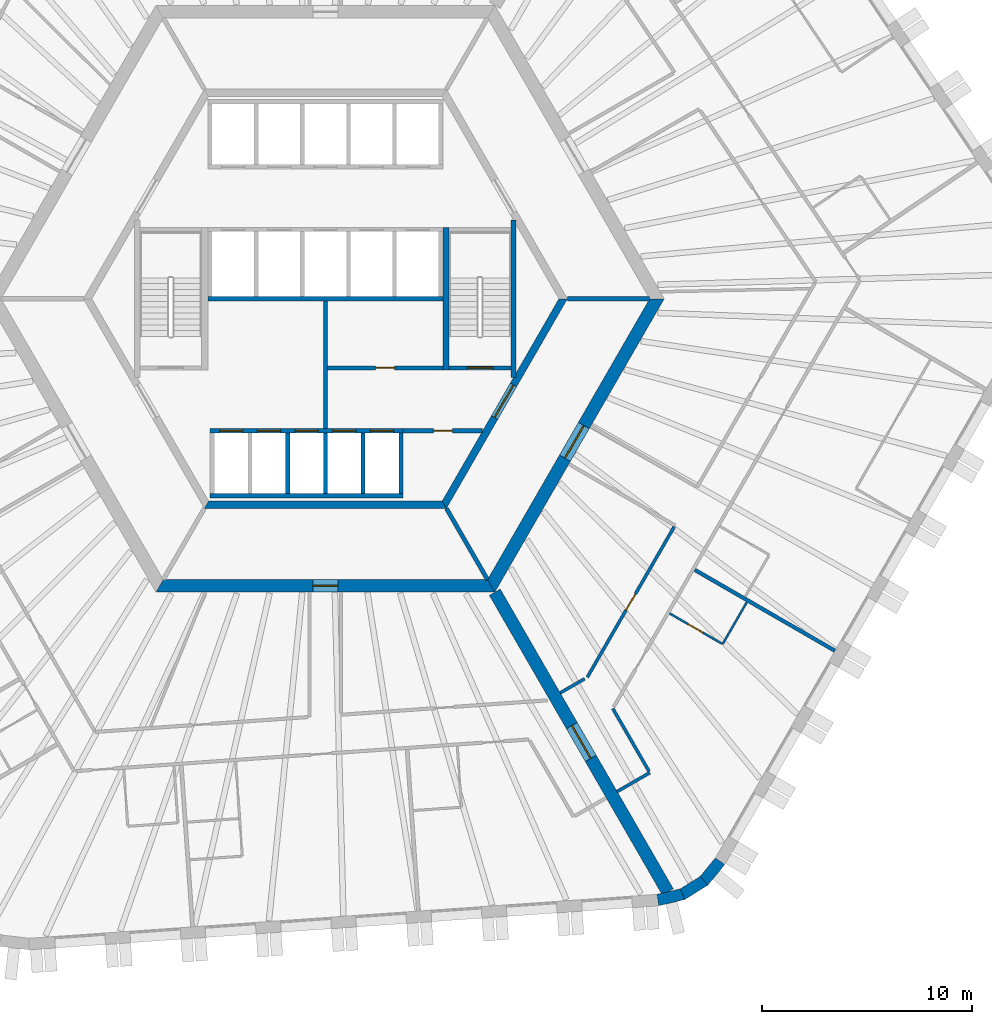
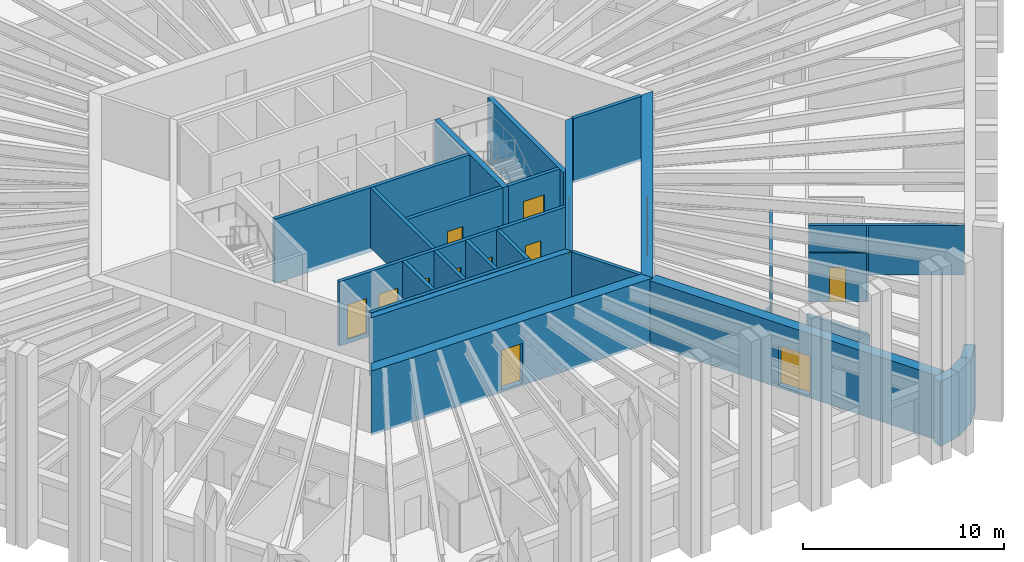
# One storey, part 5 of 13: 30 walls, 14 doors, 14 openings.
"""IFC4 building model written with IfcOpenShell, lengths in metres."""

from ifc_helpers import new_model, si_unit, direction, frame, frame_2d, origin, place, context, subcontext, project, spatial, polyline, rectangle, outline, extrude, material, layer, layer_set, type_object, element, fill, save


model = new_model("IFC4")

# Units and contexts
model_context = context("Model", 3, precision=1e-05, world=origin(), true_north=direction((0.0, 1.0)))
body_context = subcontext(model_context, "Body", "Model", "MODEL_VIEW")
ifc_project = project(units=[si_unit("LENGTHUNIT", "METRE"), si_unit("AREAUNIT", "SQUARE_METRE"), si_unit("VOLUMEUNIT", "CUBIC_METRE"), si_unit("PLANEANGLEUNIT", "RADIAN"), si_unit("MASSUNIT", "GRAM", prefix="KILO")], contexts=[model_context])

# Site, building, storey
site_placement = place(None, origin())
site = spatial("IfcSite", under=ifc_project, at=site_placement, CompositionType="ELEMENT")
building_placement = place(site_placement, origin())
building = spatial("IfcBuilding", under=site, at=building_placement, Name="Tarnside Tower", CompositionType="ELEMENT")
storey_placement = place(building_placement, frame((0.0, 0.0, 80.39990234375)))
storey = spatial("IfcBuildingStorey", under=building, at=storey_placement, Name="L17", CompositionType="ELEMENT", Elevation=80.39990234375)

# Wall
ifc_material_1 = material(Name="Gypsum board partition on steel studs", Category="steel")
ifc_layer_1 = layer(ifc_material_1, 0.10009765625)
ifc_layer_set_1 = layer_set([ifc_layer_1], Name="Bathroom wall 100")
wall_type_1 = type_object("IfcWallType", Name="Bathroom wall 100", PredefinedType="PARTITIONING", material=ifc_layer_set_1)
wall_1_placement = place(storey_placement, frame((20.108154296875, -14.471923828125, 0.0), z_axis=(0.0, 0.0, 1.0), x_axis=(-0.500015210774, -0.866016621662, 0.0)))
element("IfcWall", 1, at=wall_1_placement, inside=storey, type_object=wall_type_1, Name="Bathroom wall 05137", PredefinedType="PARTITIONING", context=body_context, shape_type="SweptSolid", body=[
    extrude(rectangle(XDim=2.31005859375, YDim=0.10009765625, at=frame_2d((1.155029296875, 0.0))), origin(), (0.0, 0.0, 1.0), 2.98779296875),
])

# Wall, opening, door
wall_2_placement = place(storey_placement, frame((18.90966796875, -16.447265625, 0.0), z_axis=(0.0, 0.0, 1.0), x_axis=(-0.866018712932, 0.500011588718, 0.0)))
wall_2 = element("IfcWall", 2, at=wall_2_placement, inside=storey, type_object=wall_type_1, Name="Bathroom wall 05138", PredefinedType="PARTITIONING", context=body_context, shape_type="SweptSolid", body=[
    extrude(rectangle(XDim=2.875, YDim=0.10009765625, at=frame_2d((1.4375, 0.0))), origin(), (0.0, 0.0, 1.0), 2.98779296875),
])
opening_1_placement = place(wall_2_placement, frame((1.050048828125, 0.0, 0.0)))
opening_1 = element("IfcOpeningElement", 3, at=opening_1_placement, cuts=wall_2, Name="Opening D-B1", PredefinedType="OPENING", context=body_context, shape_type="SweptSolid", body=[
    extrude(rectangle(XDim=0.800048828125, YDim=2.10009765625, at=frame_2d((0.39990234375, 1.050048828125))), frame((0.0, 0.06005859375, 0.0), z_axis=(0.0, -1.0, 0.0), x_axis=(1.0, 0.0, 0.0)), (0.0, 0.0, 1.0), 0.1201171875),
])
ifc_material_2 = material(Name="Timber door leaf", Category="wood")
door_type_1 = type_object("IfcDoorType", Name="Bathroom door 800", OperationType="NOTDEFINED", PredefinedType="DOOR", material=ifc_material_2)
door_1_placement = place(opening_1_placement, origin())
door_1 = element("IfcDoor", 4, at=door_1_placement, inside=storey, type_object=door_type_1, Name="Bathroom door 05031", OperationType="SINGLE_SWING_LEFT", OverallHeight=2.10009765625, OverallWidth=0.800048828125, PredefinedType="DOOR", context=body_context, shape_type="SweptSolid", body=[
    extrude(rectangle(XDim=0.800048828125, YDim=2.10009765625, at=frame_2d((0.39990234375, 1.050048828125))), frame((0.0, 0.02490234375, 0.0), z_axis=(0.0, -1.0, 0.0), x_axis=(1.0, 0.0, 0.0)), (0.0, 0.0, 1.0), 0.050048828125),
])
fill(opening_1, door_1)

# Wall
ifc_material_3 = material(Name="Concrete C50/60", Category="concrete")
ifc_layer_2 = layer(ifc_material_3, 0.35009765625)
ifc_layer_set_2 = layer_set([ifc_layer_2], Name="Core block wall 350 C50/60")
wall_type_2 = type_object("IfcWallType", Name="Core block wall 350 C50/60", PredefinedType="SHEAR", material=ifc_layer_set_2)
wall_3_placement = place(storey_placement, frame((-5.672607421875, -9.824951171875, -0.14990234375), z_axis=(0.0, 0.0, 1.0), x_axis=(1.0, 0.0, 0.0)))
element("IfcWall", 5, at=wall_3_placement, inside=storey, type_object=wall_type_2, Name="L17 core block wall face 4", PredefinedType="SHEAR", context=body_context, shape_type="SweptSolid", body=[
    extrude(outline(polyline([(-0.10107421875, -0.175048828125), (11.4462890625, -0.175048828125), (11.244140625, 0.175048828125), (0.10107421875, 0.175048828125), (-0.10107421875, -0.175048828125)])), origin(), (0.0, 0.0, 1.0), 3.89990234375),
])

# Wall, opening, door
wall_4_placement = place(storey_placement, frame((5.672607421875, -9.824951171875, -0.14990234375), z_axis=(0.0, 0.0, 1.0), x_axis=(0.499995046907, 0.866028263435, 0.0)))
wall_4 = element("IfcWall", 6, at=wall_4_placement, inside=storey, type_object=wall_type_2, Name="L17 core block wall face 5", PredefinedType="SHEAR", context=body_context, shape_type="SweptSolid", body=[
    extrude(outline(polyline([(-0.10107421875, -0.175048828125), (11.44580078125, -0.175048828125), (11.24365234375, 0.175048828125), (0.10107421875, 0.175048828125), (-0.10107421875, -0.175048828125)])), origin(), (0.0, 0.0, 1.0), 3.89990234375),
])
opening_2_placement = place(wall_4_placement, frame((4.80126953125, 0.0, 0.14990234375)))
opening_2 = element("IfcOpeningElement", 7, at=opening_2_placement, cuts=wall_4, Name="Opening CD-FFL", PredefinedType="OPENING", context=body_context, shape_type="SweptSolid", body=[
    extrude(rectangle(XDim=1.800048828125, YDim=2.39990234375, at=frame_2d((0.89990234375, 1.199951171875))), frame((0.0, 0.18505859375, 0.0), z_axis=(0.0, -1.0, 0.0), x_axis=(1.0, 0.0, 0.0)), (0.0, 0.0, 1.0), 0.3701171875),
])
ifc_material_4 = material(Name="Steel fire door", Category="steel")
door_type_2 = type_object("IfcDoorType", Name="Firefighting lobby double door FD60S 1800x2400", OperationType="NOTDEFINED", PredefinedType="DOOR", material=ifc_material_4)
door_2_placement = place(opening_2_placement, origin())
door_2 = element("IfcDoor", 8, at=door_2_placement, inside=storey, type_object=door_type_2, Name="L17 lobby block door P4", OperationType="DOUBLE_DOOR_SINGLE_SWING", OverallHeight=2.39990234375, OverallWidth=1.800048828125, PredefinedType="DOOR", context=body_context, shape_type="SweptSolid", body=[
    extrude(rectangle(XDim=1.800048828125, YDim=2.39990234375, at=frame_2d((0.89990234375, 1.199951171875))), frame((0.0, 0.02490234375, 0.0), z_axis=(0.0, -1.0, 0.0), x_axis=(1.0, 0.0, 0.0)), (0.0, 0.0, 1.0), 0.050048828125),
])
fill(opening_2, door_2)

ifc_material_5 = material(Name="Concrete C40/50", Category="concrete")
ifc_layer_3 = layer(ifc_material_5, 0.199951171875)
ifc_layer_set_3 = layer_set([ifc_layer_3], Name="Core room partition 200 C40/50")
wall_type_3 = type_object("IfcWallType", Name="Core room partition 200 C40/50", PredefinedType="PARTITIONING", material=ifc_layer_set_3)
wall_5_placement = place(storey_placement, frame((0.10009765625, -3.300048828125, 0.0), z_axis=(0.0, 0.0, 1.0), x_axis=(1.0, 0.0, 0.0)))
wall_5 = element("IfcWall", 9, at=wall_5_placement, inside=storey, type_object=wall_type_3, Name="L17 core partition R3S1", PredefinedType="PARTITIONING", context=body_context, shape_type="SweptSolid", body=[
    extrude(rectangle(XDim=5.5, YDim=0.199951171875, at=frame_2d((2.75, 0.0))), origin(), (0.0, 0.0, 1.0), 3.650146484375),
])
opening_3_placement = place(wall_5_placement, frame((2.300048828125, 0.0, 0.0)))
opening_3 = element("IfcOpeningElement", 10, at=opening_3_placement, cuts=wall_5, Name="Opening CD-room", PredefinedType="OPENING", context=body_context, shape_type="SweptSolid", body=[
    extrude(rectangle(XDim=0.89990234375, YDim=2.10009765625, at=frame_2d((0.449951171875, 1.050048828125))), frame((0.0, 0.10986328125, 0.0), z_axis=(0.0, -1.0, 0.0), x_axis=(1.0, 0.0, 0.0)), (0.0, 0.0, 1.0), 0.219970703125),
])
door_type_3 = type_object("IfcDoorType", Name="Room door FD60 900x2100", OperationType="NOTDEFINED", PredefinedType="DOOR", material=ifc_material_4)
door_3_placement = place(opening_3_placement, origin())
door_3 = element("IfcDoor", 11, at=door_3_placement, inside=storey, type_object=door_type_3, Name="L17 core room door SR1", OperationType="SINGLE_SWING_LEFT", OverallHeight=2.10009765625, OverallWidth=0.89990234375, PredefinedType="DOOR", context=body_context, shape_type="SweptSolid", body=[
    extrude(rectangle(XDim=0.89990234375, YDim=2.10009765625, at=frame_2d((0.449951171875, 1.050048828125))), frame((0.0, 0.02490234375, 0.0), z_axis=(0.0, -1.0, 0.0), x_axis=(1.0, 0.0, 0.0)), (0.0, 0.0, 1.0), 0.050048828125),
])
fill(opening_3, door_3)

# Wall
wall_6_placement = place(storey_placement, frame((0.0, -6.199951171875, 0.0), z_axis=(0.0, 0.0, 1.0), x_axis=(0.0, 1.0, 0.0)))
element("IfcWall", 12, at=wall_6_placement, inside=storey, type_object=wall_type_3, Name="L17 core partition X0", PredefinedType="PARTITIONING", context=body_context, shape_type="SweptSolid", body=[
    extrude(rectangle(XDim=6.099853515625, YDim=0.199951171875, at=frame_2d((3.0498046875, 0.0))), origin(), (0.0, 0.0, 1.0), 3.650146484375),
])

# Wall, opening, door
wall_7_placement = place(storey_placement, frame((3.699951171875, -6.300048828125, 0.0), z_axis=(0.0, 0.0, 1.0), x_axis=(1.0, 0.0, 0.0)))
wall_7 = element("IfcWall", 13, at=wall_7_placement, inside=storey, type_object=wall_type_3, Name="L17 core partition R4X", PredefinedType="PARTITIONING", context=body_context, shape_type="SweptSolid", body=[
    extrude(rectangle(XDim=3.8056640625, YDim=0.199951171875, at=frame_2d((1.90283203125, 0.0))), origin(), (0.0, 0.0, 1.0), 3.650146484375),
])
opening_4_placement = place(wall_7_placement, frame((1.452880859375, 0.0, 0.0)))
opening_4 = element("IfcOpeningElement", 14, at=opening_4_placement, cuts=wall_7, Name="Opening CD-room", PredefinedType="OPENING", context=body_context, shape_type="SweptSolid", body=[
    extrude(rectangle(XDim=0.89990234375, YDim=2.10009765625, at=frame_2d((0.449951171875, 1.050048828125))), frame((0.0, 0.10986328125, 0.0), z_axis=(0.0, -1.0, 0.0), x_axis=(1.0, 0.0, 0.0)), (0.0, 0.0, 1.0), 0.219970703125),
])
door_4_placement = place(opening_4_placement, origin())
door_4 = element("IfcDoor", 15, at=door_4_placement, inside=storey, type_object=door_type_3, Name="L17 core room door RX", OperationType="SINGLE_SWING_LEFT", OverallHeight=2.10009765625, OverallWidth=0.89990234375, PredefinedType="DOOR", context=body_context, shape_type="SweptSolid", body=[
    extrude(rectangle(XDim=0.89990234375, YDim=2.10009765625, at=frame_2d((0.449951171875, 1.050048828125))), frame((0.0, 0.02490234375, 0.0), z_axis=(0.0, -1.0, 0.0), x_axis=(1.0, 0.0, 0.0)), (0.0, 0.0, 1.0), 0.050048828125),
])
fill(opening_4, door_4)

ifc_material_6 = material(Name="Concrete C80/95", Category="concrete")
ifc_layer_4 = layer(ifc_material_6, 0.60009765625)
ifc_layer_set_4 = layer_set([ifc_layer_4], Name="Core wall Z1 600 C80/95")
wall_type_4 = type_object("IfcWallType", Name="Core wall Z1 600 C80/95", PredefinedType="SHEAR", material=ifc_layer_set_4)
wall_8_placement = place(storey_placement, frame((-7.90966796875, -13.699951171875, -0.14990234375), z_axis=(0.0, 0.0, 1.0), x_axis=(1.0, 0.0, 0.0)))
wall_8 = element("IfcWall", 16, at=wall_8_placement, inside=storey, type_object=wall_type_4, Name="L17 core wall face 4", PredefinedType="SHEAR", context=body_context, shape_type="SweptSolid", body=[
    extrude(outline(polyline([(-0.17333984375, -0.300048828125), (15.99267578125, -0.300048828125), (15.64599609375, 0.300048828125), (0.17333984375, 0.300048828125), (-0.17333984375, -0.300048828125)])), origin(), (0.0, 0.0, 1.0), 3.89990234375),
])
opening_5_placement = place(wall_8_placement, frame((7.309814453125, 0.0, 0.14990234375)))
opening_5 = element("IfcOpeningElement", 17, at=opening_5_placement, cuts=wall_8, Name="Opening CD-RSR", PredefinedType="OPENING", context=body_context, shape_type="SweptSolid", body=[
    extrude(rectangle(XDim=1.199951171875, YDim=2.39990234375, at=frame_2d((0.60009765625, 1.199951171875))), frame((0.0, 0.31005859375, 0.0), z_axis=(0.0, -1.0, 0.0), x_axis=(1.0, 0.0, 0.0)), (0.0, 0.0, 1.0), 0.6201171875),
])
door_type_4 = type_object("IfcDoorType", Name="Riser door FD60 1200x2400", OperationType="NOTDEFINED", PredefinedType="DOOR", material=ifc_material_4)
door_5_placement = place(opening_5_placement, origin())
door_5 = element("IfcDoor", 18, at=door_5_placement, inside=storey, type_object=door_type_4, Name="L17 core door S6", OperationType="SINGLE_SWING_LEFT", OverallHeight=2.39990234375, OverallWidth=1.199951171875, PredefinedType="DOOR", context=body_context, shape_type="SweptSolid", body=[
    extrude(rectangle(XDim=1.199951171875, YDim=2.39990234375, at=frame_2d((0.60009765625, 1.199951171875))), frame((0.0, 0.02490234375, 0.0), z_axis=(0.0, -1.0, 0.0), x_axis=(1.0, 0.0, 0.0)), (0.0, 0.0, 1.0), 0.050048828125),
])
fill(opening_5, door_5)

wall_9_placement = place(storey_placement, frame((7.90966796875, -13.699951171875, -0.14990234375), z_axis=(0.0, 0.0, 1.0), x_axis=(0.499999880136, 0.866025472988, 0.0)))
wall_9 = element("IfcWall", 19, at=wall_9_placement, inside=storey, type_object=wall_type_4, Name="L17 core wall face 5", PredefinedType="SHEAR", context=body_context, shape_type="SweptSolid", body=[
    extrude(outline(polyline([(-0.17333984375, -0.300048828125), (15.99267578125, -0.300048828125), (15.64599609375, 0.300048828125), (0.17333984375, 0.300048828125), (-0.17333984375, -0.300048828125)])), origin(), (0.0, 0.0, 1.0), 3.89990234375),
])
opening_6_placement = place(wall_9_placement, frame((7.03857421875, 0.0, 0.14990234375)))
opening_6 = element("IfcOpeningElement", 20, at=opening_6_placement, cuts=wall_9, Name="Opening CD-FFL", PredefinedType="OPENING", context=body_context, shape_type="SweptSolid", body=[
    extrude(rectangle(XDim=1.800048828125, YDim=2.39990234375, at=frame_2d((0.89990234375, 1.199951171875))), frame((0.0, 0.31005859375, 0.0), z_axis=(0.0, -1.0, 0.0), x_axis=(1.0, 0.0, 0.0)), (0.0, 0.0, 1.0), 0.6201171875),
])
door_6_placement = place(opening_6_placement, origin())
door_6 = element("IfcDoor", 21, at=door_6_placement, inside=storey, type_object=door_type_2, Name="L17 core door P4", OperationType="DOUBLE_DOOR_SINGLE_SWING", OverallHeight=2.39990234375, OverallWidth=1.800048828125, PredefinedType="DOOR", context=body_context, shape_type="SweptSolid", body=[
    extrude(rectangle(XDim=1.800048828125, YDim=2.39990234375, at=frame_2d((0.89990234375, 1.199951171875))), frame((0.0, 0.02490234375, 0.0), z_axis=(0.0, -1.0, 0.0), x_axis=(1.0, 0.0, 0.0)), (0.0, 0.0, 1.0), 0.050048828125),
])
fill(opening_6, door_6)

wall_10_placement = place(storey_placement, frame((8.0830078125, -14.0, -0.14990234375), z_axis=(0.0, 0.0, 1.0), x_axis=(0.499997680643, -0.866026742862, 0.0)))
wall_10 = element("IfcWall", 22, at=wall_10_placement, inside=storey, type_object=wall_type_4, Name="L17 spine wall 3", PredefinedType="SHEAR", context=body_context, shape_type="SweptSolid", body=[
    extrude(rectangle(XDim=16.5087890625, YDim=0.60009765625, at=frame_2d((8.25439453125, 0.0))), origin(), (0.0, 0.0, 1.0), 3.89990234375),
])
opening_7_placement = place(wall_10_placement, frame((7.3544921875, 0.0, 0.14990234375)))
opening_7 = element("IfcOpeningElement", 23, at=opening_7_placement, cuts=wall_10, Name="Opening CD-SPN", PredefinedType="OPENING", context=body_context, shape_type="SweptSolid", body=[
    extrude(rectangle(XDim=1.800048828125, YDim=2.39990234375, at=frame_2d((0.89990234375, 1.199951171875))), frame((0.0, 0.31005859375, 0.0), z_axis=(0.0, -1.0, 0.0), x_axis=(1.0, 0.0, 0.0)), (0.0, 0.0, 1.0), 0.6201171875),
])
door_type_5 = type_object("IfcDoorType", Name="Spine passage double door FD60 1800x2400", OperationType="NOTDEFINED", PredefinedType="DOOR", material=ifc_material_4)
door_7_placement = place(opening_7_placement, origin())
door_7 = element("IfcDoor", 24, at=door_7_placement, inside=storey, type_object=door_type_5, Name="L17 spine passage door 3", OperationType="DOUBLE_DOOR_SINGLE_SWING", OverallHeight=2.39990234375, OverallWidth=1.800048828125, PredefinedType="DOOR", context=body_context, shape_type="SweptSolid", body=[
    extrude(rectangle(XDim=1.800048828125, YDim=2.39990234375, at=frame_2d((0.89990234375, 1.199951171875))), frame((0.0, 0.02490234375, 0.0), z_axis=(0.0, -1.0, 0.0), x_axis=(1.0, 0.0, 0.0)), (0.0, 0.0, 1.0), 0.050048828125),
])
fill(opening_7, door_7)

# Walls
ifc_layer_5 = layer(ifc_material_1, 0.14990234375)
ifc_layer_set_5 = layer_set([ifc_layer_5], Name="Corridor wall 150 EI 60")
wall_type_5 = type_object("IfcWallType", Name="Corridor wall 150 EI 60", PredefinedType="PARTITIONING", material=ifc_layer_set_5)
wall_11_placement = place(storey_placement, frame((13.919921875, -23.510009765625, 0.0), z_axis=(0.0, 0.0, 1.0), x_axis=(0.866047807691, 0.499961193289, 0.0)))
element("IfcWall", 25, at=wall_11_placement, inside=storey, type_object=wall_type_5, Name="Corridor wall 05055", PredefinedType="PARTITIONING", context=body_context, shape_type="SweptSolid", body=[
    extrude(rectangle(XDim=1.800048828125, YDim=0.14990234375, at=frame_2d((0.89990234375, 0.0))), origin(), (0.0, 0.0, 1.0), 2.98779296875),
])
wall_12_placement = place(storey_placement, frame((15.44140625, -22.545166015625, 0.0), z_axis=(0.0, 0.0, 1.0), x_axis=(-0.500003541824, 0.866023358902, 0.0)))
element("IfcWall", 26, at=wall_12_placement, inside=storey, type_object=wall_type_5, Name="Corridor wall 05056", PredefinedType="PARTITIONING", context=body_context, shape_type="SweptSolid", body=[
    extrude(rectangle(XDim=3.45849609375, YDim=0.14990234375, at=frame_2d((1.729248046875, 0.0))), origin(), (0.0, 0.0, 1.0), 2.98779296875),
])

# Wall, opening, door
wall_13_placement = place(storey_placement, frame((16.642578125, -10.874267578125, 0.0), z_axis=(0.0, 0.0, 1.0), x_axis=(-0.50000192383, -0.866024293058, 0.0)))
wall_13 = element("IfcWall", 27, at=wall_13_placement, inside=storey, type_object=wall_type_5, Name="Corridor wall 05075", PredefinedType="PARTITIONING", context=body_context, shape_type="SweptSolid", body=[
    extrude(rectangle(XDim=8.29296875, YDim=0.14990234375, at=frame_2d((4.146484375, 0.0))), origin(), (0.0, 0.0, 1.0), 2.98779296875),
])
opening_8_placement = place(wall_13_placement, frame((3.696533203125, 0.0, 0.0)))
opening_8 = element("IfcOpeningElement", 28, at=opening_8_placement, cuts=wall_13, Name="Opening D-S1", PredefinedType="OPENING", context=body_context, shape_type="SweptSolid", body=[
    extrude(rectangle(XDim=0.89990234375, YDim=2.10009765625, at=frame_2d((0.449951171875, 1.050048828125))), frame((0.0, 0.0849609375, 0.0), z_axis=(0.0, -1.0, 0.0), x_axis=(1.0, 0.0, 0.0)), (0.0, 0.0, 1.0), 0.169921875),
])
door_type_6 = type_object("IfcDoorType", Name="Service room door 900 FD30S", OperationType="NOTDEFINED", PredefinedType="DOOR", material=ifc_material_2)
door_8_placement = place(opening_8_placement, origin())
door_8 = element("IfcDoor", 29, at=door_8_placement, inside=storey, type_object=door_type_6, Name="Service door 05051", OperationType="SINGLE_SWING_RIGHT", OverallHeight=2.10009765625, OverallWidth=0.89990234375, PredefinedType="DOOR", context=body_context, shape_type="SweptSolid", body=[
    extrude(rectangle(XDim=0.89990234375, YDim=2.10009765625, at=frame_2d((0.449951171875, 1.050048828125))), frame((0.0, 0.02490234375, 0.0), z_axis=(0.0, -1.0, 0.0), x_axis=(1.0, 0.0, 0.0)), (0.0, 0.0, 1.0), 0.050048828125),
])
fill(opening_8, door_8)

# Walls
wall_14_placement = place(storey_placement, frame((12.3662109375, -18.131103515625, 0.0), z_axis=(0.0, 0.0, 1.0), x_axis=(-0.866043397086, -0.499968833392, 0.0)))
element("IfcWall", 30, at=wall_14_placement, inside=storey, type_object=wall_type_5, Name="Corridor wall 05076", PredefinedType="PARTITIONING", context=body_context, shape_type="SweptSolid", body=[
    extrude(rectangle(XDim=1.34375, YDim=0.14990234375, at=frame_2d((0.671875, 0.0))), origin(), (0.0, 0.0, 1.0), 2.98779296875),
])
ifc_layer_6 = layer(ifc_material_1, 0.179931640625)
ifc_layer_set_6 = layer_set([ifc_layer_6], Name="Demising wall 180 EI 60")
wall_type_6 = type_object("IfcWallType", Name="Demising wall 180 EI 60", PredefinedType="PARTITIONING", material=ifc_layer_set_6)
wall_15_placement = place(storey_placement, frame((24.31005859375, -16.7939453125, 0.0), z_axis=(0.0, 0.0, 1.0), x_axis=(-0.866027174938, 0.499996932259, 0.0)))
element("IfcWall", 31, at=wall_15_placement, inside=storey, type_object=wall_type_6, Name="Demising wall 05139", PredefinedType="PARTITIONING", context=body_context, shape_type="SweptSolid", body=[
    extrude(rectangle(XDim=7.72509765625, YDim=0.179931640625, at=frame_2d((3.862548828125, 0.0))), origin(), (0.0, 0.0, 1.0), 2.98779296875),
])
ifc_layer_7 = layer(ifc_material_5, 0.199951171875)
ifc_layer_set_7 = layer_set([ifc_layer_7], Name="Lift shaft wall 200 C40/50")
wall_type_7 = type_object("IfcWallType", Name="Lift shaft wall 200 C40/50", PredefinedType="SHEAR", material=ifc_layer_set_7)
wall_16_placement = place(storey_placement, frame((-5.60009765625, 0.0, -0.25), z_axis=(0.0, 0.0, 1.0), x_axis=(1.0, 0.0, 0.0)))
element("IfcWall", 32, at=wall_16_placement, inside=storey, type_object=wall_type_7, Name="L17 lift shaft back wall R2", PredefinedType="SHEAR", context=body_context, shape_type="SweptSolid", body=[
    extrude(rectangle(XDim=11.2001953125, YDim=0.199951171875, at=frame_2d((5.60009765625, 0.0))), origin(), (0.0, 0.0, 1.0), 3.900146484375),
])

# Wall, openings, doors
wall_17_placement = place(storey_placement, frame((-5.5, -6.300048828125, -0.25), z_axis=(0.0, 0.0, 1.0), x_axis=(1.0, 0.0, 0.0)))
wall_17 = element("IfcWall", 33, at=wall_17_placement, inside=storey, type_object=wall_type_7, Name="L17 lift shaft front wall R4", PredefinedType="SHEAR", context=body_context, shape_type="SweptSolid", body=[
    extrude(rectangle(XDim=9.199951171875, YDim=0.199951171875, at=frame_2d((4.60009765625, 0.0))), origin(), (0.0, 0.0, 1.0), 3.900146484375),
])
opening_9_placement = place(wall_17_placement, frame((0.449951171875, 0.0, 0.25)))
opening_9 = element("IfcOpeningElement", 34, at=opening_9_placement, cuts=wall_17, Name="Opening LDF", PredefinedType="OPENING", context=body_context, shape_type="SweptSolid", body=[
    extrude(rectangle(XDim=1.10009765625, YDim=2.10009765625, at=frame_2d((0.550048828125, 1.050048828125))), frame((0.0, 0.10986328125, 0.0), z_axis=(0.0, -1.0, 0.0), x_axis=(1.0, 0.0, 0.0)), (0.0, 0.0, 1.0), 0.219970703125),
])
opening_10_placement = place(wall_17_placement, frame((2.25, 0.0, 0.25)))
opening_10 = element("IfcOpeningElement", 35, at=opening_10_placement, cuts=wall_17, Name="Opening LDF", PredefinedType="OPENING", context=body_context, shape_type="SweptSolid", body=[
    extrude(rectangle(XDim=1.10009765625, YDim=2.10009765625, at=frame_2d((0.550048828125, 1.050048828125))), frame((0.0, 0.10986328125, 0.0), z_axis=(0.0, -1.0, 0.0), x_axis=(1.0, 0.0, 0.0)), (0.0, 0.0, 1.0), 0.219970703125),
])
opening_11_placement = place(wall_17_placement, frame((4.050048828125, 0.0, 0.25)))
opening_11 = element("IfcOpeningElement", 36, at=opening_11_placement, cuts=wall_17, Name="Opening LDF", PredefinedType="OPENING", context=body_context, shape_type="SweptSolid", body=[
    extrude(rectangle(XDim=1.10009765625, YDim=2.10009765625, at=frame_2d((0.550048828125, 1.050048828125))), frame((0.0, 0.10986328125, 0.0), z_axis=(0.0, -1.0, 0.0), x_axis=(1.0, 0.0, 0.0)), (0.0, 0.0, 1.0), 0.219970703125),
])
opening_12_placement = place(wall_17_placement, frame((5.85009765625, 0.0, 0.25)))
opening_12 = element("IfcOpeningElement", 37, at=opening_12_placement, cuts=wall_17, Name="Opening LDF", PredefinedType="OPENING", context=body_context, shape_type="SweptSolid", body=[
    extrude(rectangle(XDim=1.10009765625, YDim=2.10009765625, at=frame_2d((0.550048828125, 1.050048828125))), frame((0.0, 0.10986328125, 0.0), z_axis=(0.0, -1.0, 0.0), x_axis=(1.0, 0.0, 0.0)), (0.0, 0.0, 1.0), 0.219970703125),
])
opening_13_placement = place(wall_17_placement, frame((7.64990234375, 0.0, 0.25)))
opening_13 = element("IfcOpeningElement", 38, at=opening_13_placement, cuts=wall_17, Name="Opening LDF", PredefinedType="OPENING", context=body_context, shape_type="SweptSolid", body=[
    extrude(rectangle(XDim=1.10009765625, YDim=2.10009765625, at=frame_2d((0.550048828125, 1.050048828125))), frame((0.0, 0.10986328125, 0.0), z_axis=(0.0, -1.0, 0.0), x_axis=(1.0, 0.0, 0.0)), (0.0, 0.0, 1.0), 0.219970703125),
])
ifc_material_7 = material(Name="Stainless steel", Category="steel")
door_type_7 = type_object("IfcDoorType", Name="Lift landing door 1100x2100 EI 120", OperationType="NOTDEFINED", PredefinedType="DOOR", material=ifc_material_7)
door_9_placement = place(opening_9_placement, origin())
door_9 = element("IfcDoor", 39, at=door_9_placement, inside=storey, type_object=door_type_7, Name="Firefighting lift 1 landing door L17", OperationType="SLIDING_TO_LEFT", OverallHeight=2.10009765625, OverallWidth=1.10009765625, PredefinedType="DOOR", context=body_context, shape_type="SweptSolid", body=[
    extrude(rectangle(XDim=1.10009765625, YDim=2.10009765625, at=frame_2d((0.550048828125, 1.050048828125))), frame((0.0, 0.02490234375, 0.0), z_axis=(0.0, -1.0, 0.0), x_axis=(1.0, 0.0, 0.0)), (0.0, 0.0, 1.0), 0.050048828125),
])
fill(opening_9, door_9)
door_10_placement = place(opening_10_placement, origin())
door_10 = element("IfcDoor", 40, at=door_10_placement, inside=storey, type_object=door_type_7, Name="Firefighting lift 2 landing door L17", OperationType="SLIDING_TO_LEFT", OverallHeight=2.10009765625, OverallWidth=1.10009765625, PredefinedType="DOOR", context=body_context, shape_type="SweptSolid", body=[
    extrude(rectangle(XDim=1.10009765625, YDim=2.10009765625, at=frame_2d((0.550048828125, 1.050048828125))), frame((0.0, 0.02490234375, 0.0), z_axis=(0.0, -1.0, 0.0), x_axis=(1.0, 0.0, 0.0)), (0.0, 0.0, 1.0), 0.050048828125),
])
fill(opening_10, door_10)
door_11_placement = place(opening_11_placement, origin())
door_11 = element("IfcDoor", 41, at=door_11_placement, inside=storey, type_object=door_type_7, Name="Firefighting lift 3 landing door L17", OperationType="SLIDING_TO_LEFT", OverallHeight=2.10009765625, OverallWidth=1.10009765625, PredefinedType="DOOR", context=body_context, shape_type="SweptSolid", body=[
    extrude(rectangle(XDim=1.10009765625, YDim=2.10009765625, at=frame_2d((0.550048828125, 1.050048828125))), frame((0.0, 0.02490234375, 0.0), z_axis=(0.0, -1.0, 0.0), x_axis=(1.0, 0.0, 0.0)), (0.0, 0.0, 1.0), 0.050048828125),
])
fill(opening_11, door_11)
door_12_placement = place(opening_12_placement, origin())
door_12 = element("IfcDoor", 42, at=door_12_placement, inside=storey, type_object=door_type_7, Name="Firefighting lift 4 landing door L17", OperationType="SLIDING_TO_LEFT", OverallHeight=2.10009765625, OverallWidth=1.10009765625, PredefinedType="DOOR", context=body_context, shape_type="SweptSolid", body=[
    extrude(rectangle(XDim=1.10009765625, YDim=2.10009765625, at=frame_2d((0.550048828125, 1.050048828125))), frame((0.0, 0.02490234375, 0.0), z_axis=(0.0, -1.0, 0.0), x_axis=(1.0, 0.0, 0.0)), (0.0, 0.0, 1.0), 0.050048828125),
])
fill(opening_12, door_12)
door_13_placement = place(opening_13_placement, origin())
door_13 = element("IfcDoor", 43, at=door_13_placement, inside=storey, type_object=door_type_7, Name="Firefighting lift 5 landing door L17", OperationType="SLIDING_TO_LEFT", OverallHeight=2.10009765625, OverallWidth=1.10009765625, PredefinedType="DOOR", context=body_context, shape_type="SweptSolid", body=[
    extrude(rectangle(XDim=1.10009765625, YDim=2.10009765625, at=frame_2d((0.550048828125, 1.050048828125))), frame((0.0, 0.02490234375, 0.0), z_axis=(0.0, -1.0, 0.0), x_axis=(1.0, 0.0, 0.0)), (0.0, 0.0, 1.0), 0.050048828125),
])
fill(opening_13, door_13)

# Walls
wall_18_placement = place(storey_placement, frame((-5.5, -9.39990234375, -0.25), z_axis=(0.0, 0.0, 1.0), x_axis=(1.0, 0.0, 0.0)))
element("IfcWall", 44, at=wall_18_placement, inside=storey, type_object=wall_type_7, Name="L17 lift shaft back wall R4", PredefinedType="SHEAR", context=body_context, shape_type="SweptSolid", body=[
    extrude(rectangle(XDim=9.199951171875, YDim=0.199951171875, at=frame_2d((4.60009765625, 0.0))), origin(), (0.0, 0.0, 1.0), 3.900146484375),
])
for number, where, z_axis, x_axis, name in (
    (45, (-1.800048828125, -9.300048828125, -0.25), (0.0, 0.0, 1.0), (0.0, 1.0, 0.0), "L17 lift shaft partition R43"),
    (46, (0.0, -9.300048828125, -0.25), (0.0, 0.0, 1.0), (0.0, 1.0, 0.0), "L17 lift shaft partition R44"),
    (47, (1.800048828125, -9.300048828125, -0.25), (0.0, 0.0, 1.0), (0.0, 1.0, 0.0), "L17 lift shaft partition R45"),
    (48, (3.60009765625, -9.300048828125, -0.25), (0.0, 0.0, 1.0), (0.0, 1.0, 0.0), "L17 lift shaft partition R46"),
):
    element("IfcWall", number, at=place(storey_placement, frame(where, z_axis=z_axis, x_axis=x_axis)), inside=storey, type_object=wall_type_7, Name=name, PredefinedType="SHEAR", context=body_context, shape_type="SweptSolid", body=[
        extrude(rectangle(XDim=2.900146484375, YDim=0.199951171875, at=frame_2d((1.4501953125, 0.0))), origin(), (0.0, 0.0, 1.0), 3.900146484375),
    ])
wall_19_placement = place(storey_placement, frame((11.547119140625, 0.0, -0.14990234375), z_axis=(0.0, 0.0, 1.0), x_axis=(1.0, 0.0, 0.0)))
element("IfcWall", 49, at=wall_19_placement, inside=storey, type_object=wall_type_7, Name="L17 core partition AR0", PredefinedType="SHEAR", context=body_context, shape_type="SweptSolid", body=[
    extrude(rectangle(XDim=3.92578125, YDim=0.199951171875, at=frame_2d((1.962890625, 0.0))), origin(), (0.0, 0.0, 1.0), 3.89990234375),
])
wall_20_placement = place(storey_placement, frame((5.7734375, -10.0, -0.14990234375), z_axis=(0.0, 0.0, 1.0), x_axis=(0.500038251005, -0.86600331843, 0.0)))
element("IfcWall", 50, at=wall_20_placement, inside=storey, type_object=wall_type_7, Name="L17 core partition AR300", PredefinedType="SHEAR", context=body_context, shape_type="SweptSolid", body=[
    extrude(rectangle(XDim=3.926025390625, YDim=0.199951171875, at=frame_2d((1.962890625, 0.0))), origin(), (0.0, 0.0, 1.0), 3.89990234375),
])

# Wall, opening, door
wall_21_placement = place(storey_placement, frame((5.89990234375, -3.300048828125, -0.25), z_axis=(0.0, 0.0, 1.0), x_axis=(1.0, 0.0, 0.0)))
wall_21 = element("IfcWall", 51, at=wall_21_placement, inside=storey, type_object=wall_type_7, Name="L17 stair 1 enclosure cap wall s", PredefinedType="SHEAR", context=body_context, shape_type="SweptSolid", body=[
    extrude(rectangle(XDim=2.9501953125, YDim=0.199951171875, at=frame_2d((1.47509765625, 0.0))), origin(), (0.0, 0.0, 1.0), 3.900146484375),
])
opening_14_placement = place(wall_21_placement, frame((0.875, 0.0, 0.25)))
opening_14 = element("IfcOpeningElement", 52, at=opening_14_placement, cuts=wall_21, Name="Opening CD-STR", PredefinedType="OPENING", context=body_context, shape_type="SweptSolid", body=[
    extrude(rectangle(XDim=1.199951171875, YDim=2.39990234375, at=frame_2d((0.60009765625, 1.199951171875))), frame((0.0, 0.10986328125, 0.0), z_axis=(0.0, -1.0, 0.0), x_axis=(1.0, 0.0, 0.0)), (0.0, 0.0, 1.0), 0.219970703125),
])
door_type_8 = type_object("IfcDoorType", Name="Stair door FD60S 1200x2400", OperationType="NOTDEFINED", PredefinedType="DOOR", material=ifc_material_4)
door_14_placement = place(opening_14_placement, origin())
door_14 = element("IfcDoor", 53, at=door_14_placement, inside=storey, type_object=door_type_8, Name="L17 stair 1 door", OperationType="SINGLE_SWING_LEFT", OverallHeight=2.39990234375, OverallWidth=1.199951171875, PredefinedType="DOOR", context=body_context, shape_type="SweptSolid", body=[
    extrude(rectangle(XDim=1.199951171875, YDim=2.39990234375, at=frame_2d((0.60009765625, 1.199951171875))), frame((0.0, 0.02490234375, 0.0), z_axis=(0.0, -1.0, 0.0), x_axis=(1.0, 0.0, 0.0)), (0.0, 0.0, 1.0), 0.050048828125),
])
fill(opening_14, door_14)

# Walls
ifc_layer_8 = layer(ifc_material_5, 0.25)
ifc_layer_set_8 = layer_set([ifc_layer_8], Name="Stair enclosure wall 250 C40/50")
wall_type_8 = type_object("IfcWallType", Name="Stair enclosure wall 250 C40/50", PredefinedType="SHEAR", material=ifc_layer_set_8)
wall_22_placement = place(storey_placement, frame((8.97509765625, -3.7548828125, -0.25), z_axis=(0.0, 0.0, 1.0), x_axis=(0.0, 1.0, 0.0)))
element("IfcWall", 54, at=wall_22_placement, inside=storey, type_object=wall_type_8, Name="L17 stair 1 enclosure wall outer", PredefinedType="SHEAR", context=body_context, shape_type="SweptSolid", body=[
    extrude(rectangle(XDim=7.509765625, YDim=0.25, at=frame_2d((3.7548828125, 0.0))), origin(), (0.0, 0.0, 1.0), 3.900146484375),
])
ifc_layer_9 = layer(ifc_material_5, 0.300048828125)
ifc_layer_set_9 = layer_set([ifc_layer_9], Name="Stair enclosure wall 300 C40/50")
wall_type_9 = type_object("IfcWallType", Name="Stair enclosure wall 300 C40/50", PredefinedType="SHEAR", material=ifc_layer_set_9)
wall_23_placement = place(storey_placement, frame((5.75, -3.39990234375, -0.25), z_axis=(0.0, 0.0, 1.0), x_axis=(0.0, 1.0, 0.0)))
element("IfcWall", 55, at=wall_23_placement, inside=storey, type_object=wall_type_9, Name="L17 stair 1 enclosure wall inner", PredefinedType="SHEAR", context=body_context, shape_type="SweptSolid", body=[
    extrude(rectangle(XDim=6.7998046875, YDim=0.300048828125, at=frame_2d((3.39990234375, 0.0))), origin(), (0.0, 0.0, 1.0), 3.900146484375),
])
ifc_material_8 = material(Name="Facing brick", Category="masonry")
ifc_layer_10 = layer(ifc_material_8, 0.10205078125)
ifc_material_9 = material(Name="Concrete C60/75 precast", Category="concrete")
ifc_layer_11 = layer(ifc_material_9, 0.347900390625)
ifc_material_10 = material(Name="Mineral wool insulation")
ifc_layer_12 = layer(ifc_material_10, 0.10009765625)
ifc_layer_set_10 = layer_set([ifc_layer_10, ifc_layer_11, ifc_layer_12], Name="Tube wall 550 brick faced")
wall_type_10 = type_object("IfcWallType", Name="Tube wall 550 brick faced", PredefinedType="SOLIDWALL", material=ifc_layer_set_10)
wall_24_placement = place(storey_placement, frame((15.8642578125, -28.688232421875, -0.14990234375), z_axis=(0.0, 0.0, 1.0), x_axis=(0.973063591128, 0.230536868247, 0.0)))
element("IfcWall", 56, at=wall_24_placement, inside=storey, type_object=wall_type_10, Name="Tube wall L17 F4 chord 13", PredefinedType="SOLIDWALL", context=body_context, shape_type="SweptSolid", body=[
    extrude(outline(polyline([(-0.0224609375, -0.27490234375), (1.25341796875, -0.27490234375), (1.1630859375, 0.27490234375), (0.0224609375, 0.27490234375), (-0.0224609375, -0.27490234375)])), origin(), (0.0, 0.0, 1.0), 3.89990234375),
])
wall_25_placement = place(storey_placement, frame((17.0400390625, -28.40966796875, -0.14990234375), z_axis=(0.0, 0.0, 1.0), x_axis=(0.847952888306, 0.530071598195, 0.0)))
element("IfcWall", 57, at=wall_25_placement, inside=storey, type_object=wall_type_10, Name="Tube wall L17 F4 chord 14", PredefinedType="SOLIDWALL", context=body_context, shape_type="SweptSolid", body=[
    extrude(outline(polyline([(-0.045166015625, -0.27490234375), (1.253173828125, -0.27490234375), (1.162841796875, 0.27490234375), (0.045166015625, 0.27490234375), (-0.045166015625, -0.27490234375)])), origin(), (0.0, 0.0, 1.0), 3.89990234375),
])
wall_26_placement = place(storey_placement, frame((18.064453125, -27.769287109375, -0.14990234375), z_axis=(0.0, 0.0, 1.0), x_axis=(0.633842757806, 0.773461930787, 0.0)))
element("IfcWall", 58, at=wall_26_placement, inside=storey, type_object=wall_type_10, Name="Tube wall L17 F4 chord 15", PredefinedType="SOLIDWALL", context=body_context, shape_type="SweptSolid", body=[
    extrude(outline(polyline([(-0.045166015625, -0.27490234375), (1.230712890625, -0.27490234375), (1.185791015625, 0.27490234375), (0.045166015625, 0.27490234375), (-0.045166015625, -0.27490234375)])), origin(), (0.0, 0.0, 1.0), 3.89990234375),
])

save(model, "model.ifc")
